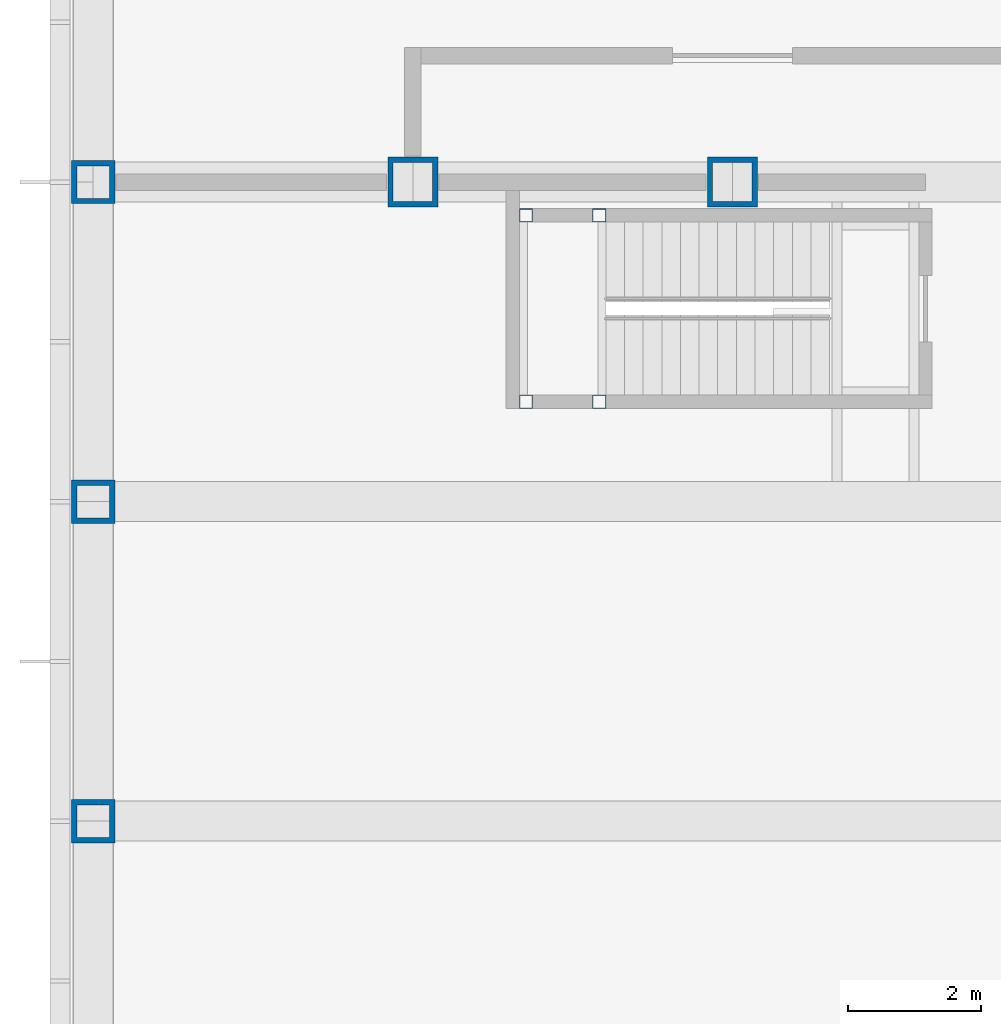
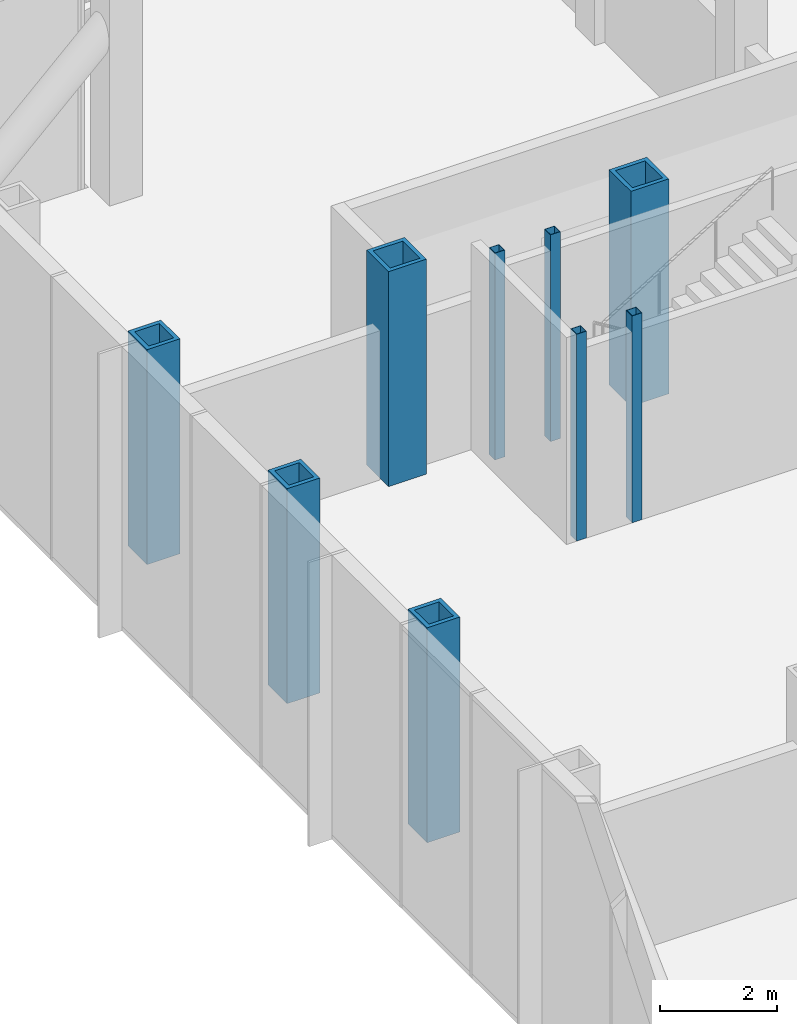
# One storey, part 3 of 18: 9 columns.
"""IFC4 building model written with IfcOpenShell, lengths in metres."""

from ifc_helpers import new_model, si_unit, direction, frame, origin, origin_2d, place, context, subcontext, project, spatial, hollow_rectangle, extrude, material, material_profile, profile_set, type_object, element, save


model = new_model("IFC4")

# Units and contexts
model_context = context("Model", 3, precision=1e-05, world=origin(), true_north=direction((0.0, 1.0)))
body_context = subcontext(model_context, "Body", "Model", "MODEL_VIEW")
ifc_project = project(units=[si_unit("LENGTHUNIT", "METRE"), si_unit("AREAUNIT", "SQUARE_METRE"), si_unit("VOLUMEUNIT", "CUBIC_METRE"), si_unit("PLANEANGLEUNIT", "RADIAN"), si_unit("MASSUNIT", "GRAM", prefix="KILO")], contexts=[model_context])

# Site, building, storey
site_placement = place(None, origin())
site = spatial("IfcSite", under=ifc_project, at=site_placement, CompositionType="ELEMENT")
building_placement = place(site_placement, origin())
building = spatial("IfcBuilding", under=site, at=building_placement, Name="Kvirike Care Tower", CompositionType="ELEMENT")
storey_placement = place(building_placement, frame((0.0, 0.0, 79.5)))
storey = spatial("IfcBuildingStorey", under=building, at=storey_placement, Name="L21", CompositionType="ELEMENT", Elevation=79.5)

# Columns
ifc_material_1 = material(Name="Steel S460", Category="steel")
ifc_material_profile_1 = material_profile(ifc_material_1, hollow_rectangle(XDim=0.64990234375, YDim=0.64990234375, WallThickness=0.080078125, at=origin_2d()), Name="BX 650x650x80")
ifc_profile_set_1 = profile_set([ifc_material_profile_1], Name="Steel S460")
column_type_1 = type_object("IfcColumnType", Name="COLUMN BX 650x650x80", PredefinedType="COLUMN", material=ifc_profile_set_1)
for number, where, z_axis, x_axis, name in (
    (1, (0.0, 33.60009765625, 0.0), (0.0, 0.0, 1.0), (1.0, 0.0, 0.0), "Column H3 L21"),
    (2, (0.0, 38.39990234375, 0.0), (0.0, 0.0, 1.0), (1.0, 0.0, 0.0), "Column J3 L21"),
    (3, (0.0, 43.199951171875, 0.0), (0.0, 0.0, 1.0), (0.0, 1.0, 0.0), "Column K3 L21"),
):
    element("IfcColumn", number, at=place(storey_placement, frame(where, z_axis=z_axis, x_axis=x_axis)), inside=storey, type_object=column_type_1, Name=name, PredefinedType="COLUMN", context=body_context, shape_type="SweptSolid", body=[
        extrude(hollow_rectangle(XDim=0.64990234375, YDim=0.64990234375, WallThickness=0.080078125, at=origin_2d()), origin(), (0.0, 0.0, 1.0), 4.5),
    ])
ifc_material_2 = material(Name="Steel S460", Category="steel")
ifc_material_profile_2 = material_profile(ifc_material_2, hollow_rectangle(XDim=0.75, YDim=0.75, WallThickness=0.080078125, at=origin_2d()), Name="BX 750x750x80")
ifc_profile_set_2 = profile_set([ifc_material_profile_2], Name="Steel S460")
column_type_2 = type_object("IfcColumnType", Name="COLUMN BX 750x750x80", PredefinedType="COLUMN", material=ifc_profile_set_2)
for number, where, z_axis, x_axis, name in (
    (4, (4.800048828125, 43.199951171875, 0.0), (0.0, 0.0, 1.0), (0.0, 1.0, 0.0), "Column K4 L21"),
    (5, (9.60009765625, 43.199951171875, 0.0), (0.0, 0.0, 1.0), (0.0, 1.0, 0.0), "Column K5 L21"),
):
    element("IfcColumn", number, at=place(storey_placement, frame(where, z_axis=z_axis, x_axis=x_axis)), inside=storey, type_object=column_type_2, Name=name, PredefinedType="COLUMN", context=body_context, shape_type="SweptSolid", body=[
        extrude(hollow_rectangle(XDim=0.75, YDim=0.75, WallThickness=0.080078125, at=origin_2d()), origin(), (0.0, 0.0, 1.0), 4.5),
    ])
ifc_material_3 = material(Name="Steel S460", Category="steel")
ifc_material_profile_3 = material_profile(ifc_material_3, hollow_rectangle(XDim=0.199951171875, YDim=0.199951171875, WallThickness=0.008056640625, at=origin_2d()), Name="SHS 200x200x8")
ifc_profile_set_3 = profile_set([ifc_material_profile_3], Name="Steel S460")
column_type_3 = type_object("IfcColumnType", Name="STAIR POST SHS 200x200x8", PredefinedType="COLUMN", material=ifc_profile_set_3)
for number, where, z_axis, x_axis, name in (
    (6, (6.5, 42.699951171875, 0.0), (0.0, 0.0, 1.0), (1.0, 0.0, 0.0), "Stair 1 post 1 L21"),
    (7, (6.5, 39.89990234375, 0.0), (0.0, 0.0, 1.0), (1.0, 0.0, 0.0), "Stair 1 post 2 L21"),
    (8, (7.60009765625, 42.699951171875, 0.0), (0.0, 0.0, 1.0), (1.0, 0.0, 0.0), "Stair 1 post 3 L21"),
    (9, (7.60009765625, 39.89990234375, 0.0), (0.0, 0.0, 1.0), (1.0, 0.0, 0.0), "Stair 1 post 4 L21"),
):
    element("IfcColumn", number, at=place(storey_placement, frame(where, z_axis=z_axis, x_axis=x_axis)), inside=storey, type_object=column_type_3, Name=name, PredefinedType="COLUMN", context=body_context, shape_type="SweptSolid", body=[
        extrude(hollow_rectangle(XDim=0.199951171875, YDim=0.199951171875, WallThickness=0.008056640625, at=origin_2d()), origin(), (0.0, 0.0, 1.0), 4.330078125),
    ])

save(model, "model.ifc")
